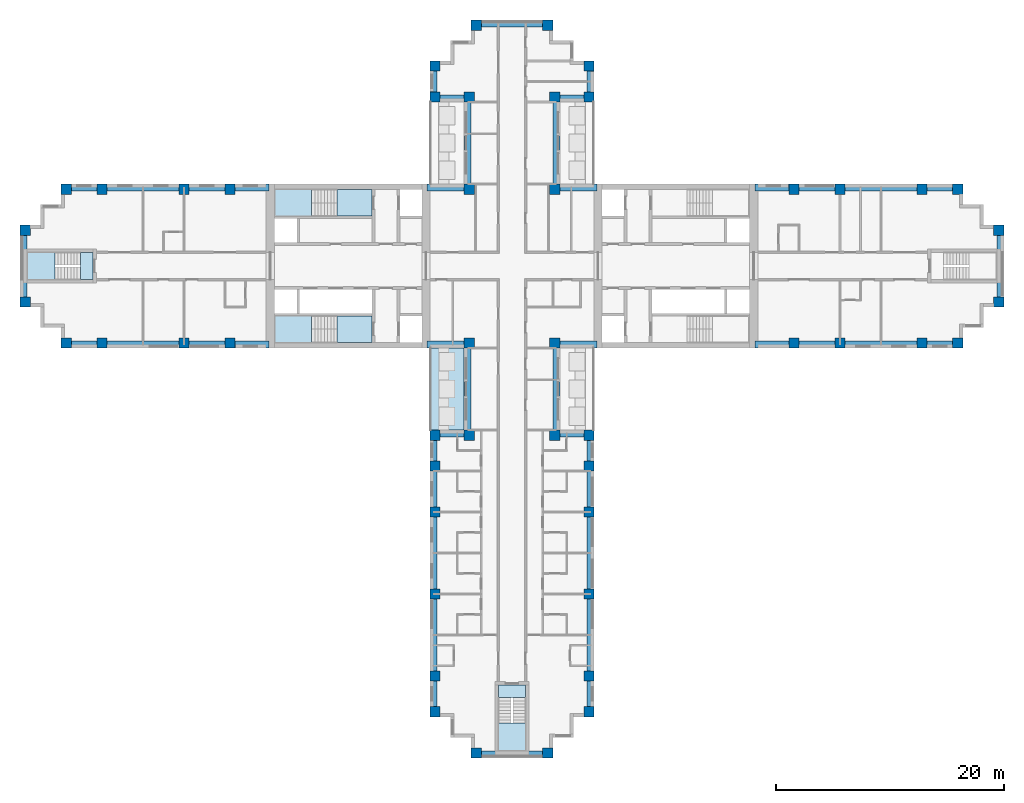
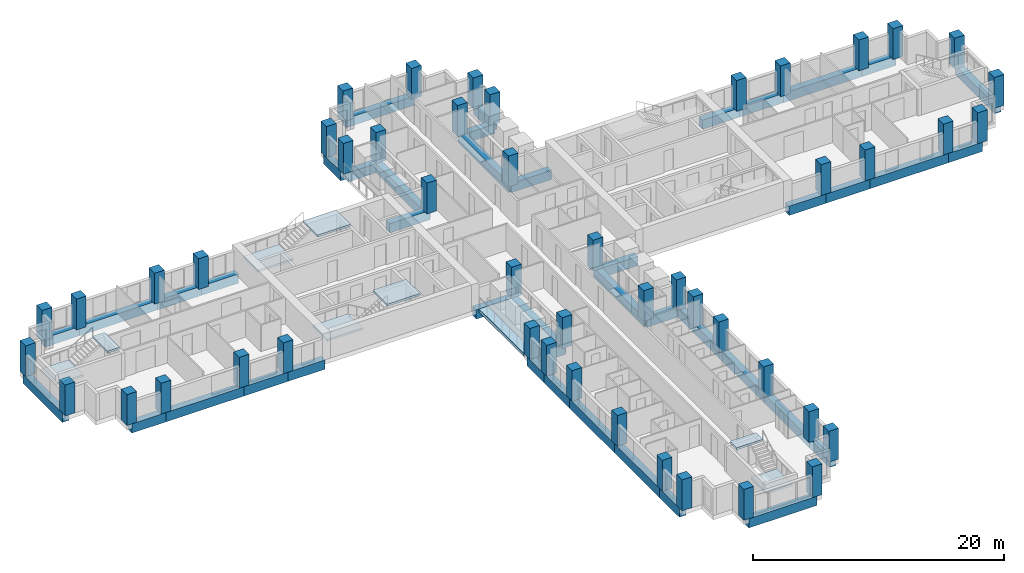
# One storey, part 1 of 14: 48 columns, 44 beams, 9 slabs, 4 elements without a shape of their own.
"""IFC4 building model written with IfcOpenShell, lengths in metres."""

from ifc_helpers import new_model, si_unit, direction, frame, origin, origin_2d, place, context, subcontext, project, spatial, polyline, rectangle, outline, extrude, material, layer, layer_set, material_profile, profile_set, type_object, element, aggregate, save


model = new_model("IFC4")

# Units and contexts
model_context = context("Model", 3, precision=1e-05, world=origin(), true_north=direction((0.0, 1.0)))
body_context = subcontext(model_context, "Body", "Model", "MODEL_VIEW")
ifc_project = project(units=[si_unit("LENGTHUNIT", "METRE"), si_unit("AREAUNIT", "SQUARE_METRE"), si_unit("VOLUMEUNIT", "CUBIC_METRE"), si_unit("PLANEANGLEUNIT", "RADIAN"), si_unit("MASSUNIT", "GRAM", prefix="KILO")], contexts=[model_context])

# Site, building, storey
site_placement = place(None, origin())
site = spatial("IfcSite", under=ifc_project, at=site_placement, CompositionType="ELEMENT")
building_placement = place(site_placement, origin())
building = spatial("IfcBuilding", under=site, at=building_placement, Name="Fustian Cross Tower", CompositionType="ELEMENT")
storey_placement = place(building_placement, frame((0.0, 0.0, 99.89990234375)))
storey = spatial("IfcBuildingStorey", under=building, at=storey_placement, Name="L31", CompositionType="ELEMENT", Elevation=99.89990234375)

# Columns
ifc_material_1 = material(Name="Concrete C60/75", Category="concrete")
ifc_material_profile_1 = material_profile(ifc_material_1, rectangle(XDim=0.89990234375, YDim=0.89990234375, at=origin_2d()), Name="RC 900x900")
ifc_profile_set_1 = profile_set([ifc_material_profile_1], Name="Concrete C60/75")
column_type = type_object("IfcColumnType", Name="COLUMN RC 900x900 C60/75", PredefinedType="COLUMN", material=ifc_profile_set_1)
for number, where, z_axis, x_axis, name in (
    (1, (-42.75, -3.14990234375, 0.0), (0.0, 0.0, 1.0), (1.0, 0.0, 0.0), "COLUMN 001"),
    (2, (-42.75, 3.14990234375, 0.0), (0.0, 0.0, 1.0), (1.0, 0.0, 0.0), "COLUMN 002"),
    (3, (-39.14990234375, -6.75, 0.0), (0.0, 0.0, 1.0), (1.0, 0.0, 0.0), "COLUMN 003"),
    (4, (-39.14990234375, 6.75, 0.0), (0.0, 0.0, 1.0), (1.0, 0.0, 0.0), "COLUMN 004"),
    (5, (-36.0, -6.75, 0.0), (0.0, 0.0, 1.0), (1.0, 0.0, 0.0), "COLUMN 005"),
    (6, (-36.0, 6.75, 0.0), (0.0, 0.0, 1.0), (1.0, 0.0, 0.0), "COLUMN 006"),
    (7, (-28.800048828125, -6.75, 0.0), (0.0, 0.0, 1.0), (1.0, 0.0, 0.0), "COLUMN 007"),
    (8, (-28.800048828125, 6.75, 0.0), (0.0, 0.0, 1.0), (1.0, 0.0, 0.0), "COLUMN 010"),
    (9, (-24.75, -6.75, 0.0), (0.0, 0.0, 1.0), (1.0, 0.0, 0.0), "COLUMN 011"),
    (10, (-24.75, 6.75, 0.0), (0.0, 0.0, 1.0), (1.0, 0.0, 0.0), "COLUMN 012"),
    (11, (-6.75, -39.14990234375, 0.0), (0.0, 0.0, 1.0), (1.0, 0.0, 0.0), "COLUMN 013"),
    (12, (-6.75, -36.0, 0.0), (0.0, 0.0, 1.0), (1.0, 0.0, 0.0), "COLUMN 014"),
    (13, (-6.75, -28.800048828125, 0.0), (0.0, 0.0, 1.0), (1.0, 0.0, 0.0), "COLUMN 015"),
    (14, (-6.75, -21.60009765625, 0.0), (0.0, 0.0, 1.0), (1.0, 0.0, 0.0), "COLUMN 016"),
    (15, (-6.75, -17.550048828125, 0.0), (0.0, 0.0, 1.0), (1.0, 0.0, 0.0), "COLUMN 017"),
    (16, (-6.75, -14.85009765625, 0.0), (0.0, 0.0, 1.0), (1.0, 0.0, 0.0), "COLUMN 018"),
    (17, (-6.75, 14.85009765625, 0.0), (0.0, 0.0, 1.0), (1.0, 0.0, 0.0), "COLUMN 019"),
    (18, (-6.75, 17.550048828125, 0.0), (0.0, 0.0, 1.0), (1.0, 0.0, 0.0), "COLUMN 020"),
    (19, (-3.75, -14.85009765625, 0.0), (0.0, 0.0, 1.0), (1.0, 0.0, 0.0), "COLUMN 025"),
    (20, (-3.75, -6.75, 0.0), (0.0, 0.0, 1.0), (1.0, 0.0, 0.0), "COLUMN 026"),
    (21, (-3.75, 6.75, 0.0), (0.0, 0.0, 1.0), (1.0, 0.0, 0.0), "COLUMN 027"),
    (22, (-3.75, 14.85009765625, 0.0), (0.0, 0.0, 1.0), (1.0, 0.0, 0.0), "COLUMN 028"),
    (23, (-3.14990234375, -42.75, 0.0), (0.0, 0.0, 1.0), (1.0, 0.0, 0.0), "COLUMN 029"),
    (24, (-3.14990234375, 21.14990234375, 0.0), (0.0, 0.0, 1.0), (1.0, 0.0, 0.0), "COLUMN 031"),
    (25, (3.14990234375, -42.75, 0.0), (0.0, 0.0, 1.0), (1.0, 0.0, 0.0), "COLUMN 033"),
    (26, (3.14990234375, 21.14990234375, 0.0), (0.0, 0.0, 1.0), (1.0, 0.0, 0.0), "COLUMN 035"),
    (27, (3.75, -14.85009765625, 0.0), (0.0, 0.0, 1.0), (1.0, 0.0, 0.0), "COLUMN 037"),
    (28, (3.75, -6.75, 0.0), (0.0, 0.0, 1.0), (1.0, 0.0, 0.0), "COLUMN 038"),
    (29, (3.75, 6.75, 0.0), (0.0, 0.0, 1.0), (1.0, 0.0, 0.0), "COLUMN 039"),
    (30, (3.75, 14.85009765625, 0.0), (0.0, 0.0, 1.0), (1.0, 0.0, 0.0), "COLUMN 040"),
    (31, (6.75, -39.14990234375, 0.0), (0.0, 0.0, 1.0), (1.0, 0.0, 0.0), "COLUMN 041"),
    (32, (6.75, -36.0, 0.0), (0.0, 0.0, 1.0), (1.0, 0.0, 0.0), "COLUMN 042"),
    (33, (6.75, -28.800048828125, 0.0), (0.0, 0.0, 1.0), (1.0, 0.0, 0.0), "COLUMN 043"),
    (34, (6.75, -21.60009765625, 0.0), (0.0, 0.0, 1.0), (1.0, 0.0, 0.0), "COLUMN 044"),
    (35, (6.75, -17.550048828125, 0.0), (0.0, 0.0, 1.0), (1.0, 0.0, 0.0), "COLUMN 045"),
    (36, (6.75, -14.85009765625, 0.0), (0.0, 0.0, 1.0), (1.0, 0.0, 0.0), "COLUMN 046"),
    (37, (6.75, 14.85009765625, 0.0), (0.0, 0.0, 1.0), (1.0, 0.0, 0.0), "COLUMN 047"),
    (38, (6.75, 17.550048828125, 0.0), (0.0, 0.0, 1.0), (1.0, 0.0, 0.0), "COLUMN 048"),
    (39, (24.75, -6.75, 0.0), (0.0, 0.0, 1.0), (1.0, 0.0, 0.0), "COLUMN 053"),
    (40, (24.75, 6.75, 0.0), (0.0, 0.0, 1.0), (1.0, 0.0, 0.0), "COLUMN 054"),
    (41, (28.800048828125, -6.75, 0.0), (0.0, 0.0, 1.0), (1.0, 0.0, 0.0), "COLUMN 055"),
    (42, (28.800048828125, 6.75, 0.0), (0.0, 0.0, 1.0), (1.0, 0.0, 0.0), "COLUMN 058"),
    (43, (36.0, -6.75, 0.0), (0.0, 0.0, 1.0), (1.0, 0.0, 0.0), "COLUMN 059"),
    (44, (36.0, 6.75, 0.0), (0.0, 0.0, 1.0), (1.0, 0.0, 0.0), "COLUMN 060"),
    (45, (39.14990234375, -6.75, 0.0), (0.0, 0.0, 1.0), (1.0, 0.0, 0.0), "COLUMN 061"),
    (46, (39.14990234375, 6.75, 0.0), (0.0, 0.0, 1.0), (1.0, 0.0, 0.0), "COLUMN 062"),
    (47, (42.75, -3.14990234375, 0.0), (0.0, 0.0, 1.0), (1.0, 0.0, 0.0), "COLUMN 063"),
    (48, (42.75, 3.14990234375, 0.0), (0.0, 0.0, 1.0), (1.0, 0.0, 0.0), "COLUMN 064"),
):
    element("IfcColumn", number, at=place(storey_placement, frame(where, z_axis=z_axis, x_axis=x_axis)), inside=storey, type_object=column_type, Name=name, PredefinedType="COLUMN", context=body_context, shape_type="SweptSolid", body=[
        extrude(rectangle(XDim=0.89990234375, YDim=0.89990234375, at=origin_2d()), origin(), (0.0, 0.0, 1.0), 3.0),
    ])

# Beams
ifc_material_2 = material(Name="Concrete C50/60", Category="concrete")
ifc_material_profile_2 = material_profile(ifc_material_2, rectangle(XDim=0.60009765625, YDim=0.89990234375, at=origin_2d()), Name="RC 600x900")
ifc_profile_set_2 = profile_set([ifc_material_profile_2], Name="Concrete C50/60")
beam_type = type_object("IfcBeamType", Name="EDGE BEAM RC 600x900 C50/60", PredefinedType="SPANDREL", material=ifc_profile_set_2)
beam_1_placement = place(storey_placement, frame((21.35009765625, -6.89990234375, -0.449951171875), z_axis=(1.0, 0.0, 0.0), x_axis=(0.0, 1.0, 0.0)))
element("IfcBeam", 49, at=beam_1_placement, inside=storey, type_object=beam_type, Name="EDGE BEAM L31-01", PredefinedType="SPANDREL", context=body_context, shape_type="SweptSolid", body=[
    extrude(rectangle(XDim=0.60009765625, YDim=0.89990234375, at=origin_2d()), origin(), (0.0, 0.0, 1.0), 3.39990234375),
])
beam_2_placement = place(storey_placement, frame((24.75, -6.89990234375, -0.449951171875), z_axis=(1.0, 0.0, 0.0), x_axis=(0.0, 1.0, 0.0)))
element("IfcBeam", 50, at=beam_2_placement, inside=storey, type_object=beam_type, Name="EDGE BEAM L31-02", PredefinedType="SPANDREL", context=body_context, shape_type="SweptSolid", body=[
    extrude(rectangle(XDim=0.60009765625, YDim=0.89990234375, at=origin_2d()), origin(), (0.0, 0.0, 1.0), 4.050048828125),
])
beam_3_placement = place(storey_placement, frame((28.800048828125, -6.89990234375, -0.449951171875), z_axis=(1.0, 0.0, 0.0), x_axis=(0.0, 1.0, 0.0)))
element("IfcBeam", 51, at=beam_3_placement, inside=storey, type_object=beam_type, Name="EDGE BEAM L31-03", PredefinedType="SPANDREL", context=body_context, shape_type="SweptSolid", body=[
    extrude(rectangle(XDim=0.60009765625, YDim=0.89990234375, at=origin_2d()), origin(), (0.0, 0.0, 1.0), 7.199951171875),
])
beam_4_placement = place(storey_placement, frame((36.0, -6.89990234375, -0.449951171875), z_axis=(1.0, 0.0, 0.0), x_axis=(0.0, 1.0, 0.0)))
element("IfcBeam", 52, at=beam_4_placement, inside=storey, type_object=beam_type, Name="EDGE BEAM L31-04", PredefinedType="SPANDREL", context=body_context, shape_type="SweptSolid", body=[
    extrude(rectangle(XDim=0.60009765625, YDim=0.89990234375, at=origin_2d()), origin(), (0.0, 0.0, 1.0), 3.14990234375),
])
beam_5_placement = place(storey_placement, frame((42.89990234375, -3.14990234375, -0.449951171875), z_axis=(0.0, 1.0, 0.0), x_axis=(-1.0, 0.0, 0.0)))
element("IfcBeam", 53, at=beam_5_placement, inside=storey, type_object=beam_type, Name="EDGE BEAM L31-05", PredefinedType="SPANDREL", context=body_context, shape_type="SweptSolid", body=[
    extrude(rectangle(XDim=0.60009765625, YDim=0.89990234375, at=origin_2d()), origin(), (0.0, 0.0, 1.0), 6.2998046875),
])
beam_6_placement = place(storey_placement, frame((39.14990234375, 6.89990234375, -0.449951171875), z_axis=(-1.0, 0.0, 0.0), x_axis=(0.0, -1.0, 0.0)))
element("IfcBeam", 54, at=beam_6_placement, inside=storey, type_object=beam_type, Name="EDGE BEAM L31-06", PredefinedType="SPANDREL", context=body_context, shape_type="SweptSolid", body=[
    extrude(rectangle(XDim=0.60009765625, YDim=0.89990234375, at=origin_2d()), origin(), (0.0, 0.0, 1.0), 3.14990234375),
])
beam_7_placement = place(storey_placement, frame((36.0, 6.89990234375, -0.449951171875), z_axis=(-1.0, 0.0, 0.0), x_axis=(0.0, -1.0, 0.0)))
element("IfcBeam", 55, at=beam_7_placement, inside=storey, type_object=beam_type, Name="EDGE BEAM L31-07", PredefinedType="SPANDREL", context=body_context, shape_type="SweptSolid", body=[
    extrude(rectangle(XDim=0.60009765625, YDim=0.89990234375, at=origin_2d()), origin(), (0.0, 0.0, 1.0), 7.199951171875),
])
beam_8_placement = place(storey_placement, frame((28.800048828125, 6.89990234375, -0.449951171875), z_axis=(-1.0, 0.0, 0.0), x_axis=(0.0, -1.0, 0.0)))
element("IfcBeam", 56, at=beam_8_placement, inside=storey, type_object=beam_type, Name="EDGE BEAM L31-08", PredefinedType="SPANDREL", context=body_context, shape_type="SweptSolid", body=[
    extrude(rectangle(XDim=0.60009765625, YDim=0.89990234375, at=origin_2d()), origin(), (0.0, 0.0, 1.0), 4.050048828125),
])
beam_9_placement = place(storey_placement, frame((24.75, 6.89990234375, -0.449951171875), z_axis=(-1.0, 0.0, 0.0), x_axis=(0.0, -1.0, 0.0)))
element("IfcBeam", 57, at=beam_9_placement, inside=storey, type_object=beam_type, Name="EDGE BEAM L31-09", PredefinedType="SPANDREL", context=body_context, shape_type="SweptSolid", body=[
    extrude(rectangle(XDim=0.60009765625, YDim=0.89990234375, at=origin_2d()), origin(), (0.0, 0.0, 1.0), 3.39990234375),
])
beam_10_placement = place(storey_placement, frame((7.449951171875, 6.89990234375, -0.449951171875), z_axis=(-1.0, 0.0, 0.0), x_axis=(0.0, -1.0, 0.0)))
element("IfcBeam", 58, at=beam_10_placement, inside=storey, type_object=beam_type, Name="EDGE BEAM L31-10", PredefinedType="SPANDREL", context=body_context, shape_type="SweptSolid", body=[
    extrude(rectangle(XDim=0.60009765625, YDim=0.89990234375, at=origin_2d()), origin(), (0.0, 0.0, 1.0), 3.699951171875),
])
beam_11_placement = place(storey_placement, frame((3.89990234375, 6.75, -0.449951171875), z_axis=(0.0, 1.0, 0.0), x_axis=(-1.0, 0.0, 0.0)))
element("IfcBeam", 59, at=beam_11_placement, inside=storey, type_object=beam_type, Name="EDGE BEAM L31-11", PredefinedType="SPANDREL", context=body_context, shape_type="SweptSolid", body=[
    extrude(rectangle(XDim=0.60009765625, YDim=0.89990234375, at=origin_2d()), origin(), (0.0, 0.0, 1.0), 8.10009765625),
])
beam_12_placement = place(storey_placement, frame((3.75, 14.699951171875, -0.449951171875), z_axis=(1.0, 0.0, 0.0), x_axis=(0.0, 1.0, 0.0)))
element("IfcBeam", 60, at=beam_12_placement, inside=storey, type_object=beam_type, Name="EDGE BEAM L31-12", PredefinedType="SPANDREL", context=body_context, shape_type="SweptSolid", body=[
    extrude(rectangle(XDim=0.60009765625, YDim=0.89990234375, at=origin_2d()), origin(), (0.0, 0.0, 1.0), 3.0),
])
beam_13_placement = place(storey_placement, frame((6.89990234375, 14.85009765625, -0.449951171875), z_axis=(0.0, 1.0, 0.0), x_axis=(-1.0, 0.0, 0.0)))
element("IfcBeam", 61, at=beam_13_placement, inside=storey, type_object=beam_type, Name="EDGE BEAM L31-13", PredefinedType="SPANDREL", context=body_context, shape_type="SweptSolid", body=[
    extrude(rectangle(XDim=0.60009765625, YDim=0.89990234375, at=origin_2d()), origin(), (0.0, 0.0, 1.0), 2.699951171875),
])
beam_14_placement = place(storey_placement, frame((3.14990234375, 21.300048828125, -0.449951171875), z_axis=(-1.0, 0.0, 0.0), x_axis=(0.0, -1.0, 0.0)))
element("IfcBeam", 62, at=beam_14_placement, inside=storey, type_object=beam_type, Name="EDGE BEAM L31-14", PredefinedType="SPANDREL", context=body_context, shape_type="SweptSolid", body=[
    extrude(rectangle(XDim=0.60009765625, YDim=0.89990234375, at=origin_2d()), origin(), (0.0, 0.0, 1.0), 6.2998046875),
])
beam_15_placement = place(storey_placement, frame((-6.89990234375, 17.550048828125, -0.449951171875), z_axis=(0.0, -1.0, 0.0), x_axis=(1.0, 0.0, 0.0)))
element("IfcBeam", 63, at=beam_15_placement, inside=storey, type_object=beam_type, Name="EDGE BEAM L31-15", PredefinedType="SPANDREL", context=body_context, shape_type="SweptSolid", body=[
    extrude(rectangle(XDim=0.60009765625, YDim=0.89990234375, at=origin_2d()), origin(), (0.0, 0.0, 1.0), 2.699951171875),
])
beam_16_placement = place(storey_placement, frame((-6.75, 14.699951171875, -0.449951171875), z_axis=(1.0, 0.0, 0.0), x_axis=(0.0, 1.0, 0.0)))
element("IfcBeam", 64, at=beam_16_placement, inside=storey, type_object=beam_type, Name="EDGE BEAM L31-16", PredefinedType="SPANDREL", context=body_context, shape_type="SweptSolid", body=[
    extrude(rectangle(XDim=0.60009765625, YDim=0.89990234375, at=origin_2d()), origin(), (0.0, 0.0, 1.0), 3.0),
])
beam_17_placement = place(storey_placement, frame((-3.89990234375, 14.85009765625, -0.449951171875), z_axis=(0.0, -1.0, 0.0), x_axis=(1.0, 0.0, 0.0)))
element("IfcBeam", 65, at=beam_17_placement, inside=storey, type_object=beam_type, Name="EDGE BEAM L31-17", PredefinedType="SPANDREL", context=body_context, shape_type="SweptSolid", body=[
    extrude(rectangle(XDim=0.60009765625, YDim=0.89990234375, at=origin_2d()), origin(), (0.0, 0.0, 1.0), 8.10009765625),
])
beam_18_placement = place(storey_placement, frame((-3.75, 6.89990234375, -0.449951171875), z_axis=(-1.0, 0.0, 0.0), x_axis=(0.0, -1.0, 0.0)))
element("IfcBeam", 66, at=beam_18_placement, inside=storey, type_object=beam_type, Name="EDGE BEAM L31-18", PredefinedType="SPANDREL", context=body_context, shape_type="SweptSolid", body=[
    extrude(rectangle(XDim=0.60009765625, YDim=0.89990234375, at=origin_2d()), origin(), (0.0, 0.0, 1.0), 3.699951171875),
])
beam_19_placement = place(storey_placement, frame((-21.35009765625, 6.89990234375, -0.449951171875), z_axis=(-1.0, 0.0, 0.0), x_axis=(0.0, -1.0, 0.0)))
element("IfcBeam", 67, at=beam_19_placement, inside=storey, type_object=beam_type, Name="EDGE BEAM L31-19", PredefinedType="SPANDREL", context=body_context, shape_type="SweptSolid", body=[
    extrude(rectangle(XDim=0.60009765625, YDim=0.89990234375, at=origin_2d()), origin(), (0.0, 0.0, 1.0), 3.39990234375),
])
beam_20_placement = place(storey_placement, frame((-24.75, 6.89990234375, -0.449951171875), z_axis=(-1.0, 0.0, 0.0), x_axis=(0.0, -1.0, 0.0)))
element("IfcBeam", 68, at=beam_20_placement, inside=storey, type_object=beam_type, Name="EDGE BEAM L31-20", PredefinedType="SPANDREL", context=body_context, shape_type="SweptSolid", body=[
    extrude(rectangle(XDim=0.60009765625, YDim=0.89990234375, at=origin_2d()), origin(), (0.0, 0.0, 1.0), 4.050048828125),
])
beam_21_placement = place(storey_placement, frame((-28.800048828125, 6.89990234375, -0.449951171875), z_axis=(-1.0, 0.0, 0.0), x_axis=(0.0, -1.0, 0.0)))
element("IfcBeam", 69, at=beam_21_placement, inside=storey, type_object=beam_type, Name="EDGE BEAM L31-21", PredefinedType="SPANDREL", context=body_context, shape_type="SweptSolid", body=[
    extrude(rectangle(XDim=0.60009765625, YDim=0.89990234375, at=origin_2d()), origin(), (0.0, 0.0, 1.0), 7.199951171875),
])
beam_22_placement = place(storey_placement, frame((-36.0, 6.89990234375, -0.449951171875), z_axis=(-1.0, 0.0, 0.0), x_axis=(0.0, -1.0, 0.0)))
element("IfcBeam", 70, at=beam_22_placement, inside=storey, type_object=beam_type, Name="EDGE BEAM L31-22", PredefinedType="SPANDREL", context=body_context, shape_type="SweptSolid", body=[
    extrude(rectangle(XDim=0.60009765625, YDim=0.89990234375, at=origin_2d()), origin(), (0.0, 0.0, 1.0), 3.14990234375),
])
beam_23_placement = place(storey_placement, frame((-42.89990234375, 3.14990234375, -0.449951171875), z_axis=(0.0, -1.0, 0.0), x_axis=(1.0, 0.0, 0.0)))
element("IfcBeam", 71, at=beam_23_placement, inside=storey, type_object=beam_type, Name="EDGE BEAM L31-23", PredefinedType="SPANDREL", context=body_context, shape_type="SweptSolid", body=[
    extrude(rectangle(XDim=0.60009765625, YDim=0.89990234375, at=origin_2d()), origin(), (0.0, 0.0, 1.0), 6.2998046875),
])
beam_24_placement = place(storey_placement, frame((-39.14990234375, -6.89990234375, -0.449951171875), z_axis=(1.0, 0.0, 0.0), x_axis=(0.0, 1.0, 0.0)))
element("IfcBeam", 72, at=beam_24_placement, inside=storey, type_object=beam_type, Name="EDGE BEAM L31-24", PredefinedType="SPANDREL", context=body_context, shape_type="SweptSolid", body=[
    extrude(rectangle(XDim=0.60009765625, YDim=0.89990234375, at=origin_2d()), origin(), (0.0, 0.0, 1.0), 3.14990234375),
])
beam_25_placement = place(storey_placement, frame((-36.0, -6.89990234375, -0.449951171875), z_axis=(1.0, 0.0, 0.0), x_axis=(0.0, 1.0, 0.0)))
element("IfcBeam", 73, at=beam_25_placement, inside=storey, type_object=beam_type, Name="EDGE BEAM L31-25", PredefinedType="SPANDREL", context=body_context, shape_type="SweptSolid", body=[
    extrude(rectangle(XDim=0.60009765625, YDim=0.89990234375, at=origin_2d()), origin(), (0.0, 0.0, 1.0), 7.199951171875),
])
beam_26_placement = place(storey_placement, frame((-28.800048828125, -6.89990234375, -0.449951171875), z_axis=(1.0, 0.0, 0.0), x_axis=(0.0, 1.0, 0.0)))
element("IfcBeam", 74, at=beam_26_placement, inside=storey, type_object=beam_type, Name="EDGE BEAM L31-26", PredefinedType="SPANDREL", context=body_context, shape_type="SweptSolid", body=[
    extrude(rectangle(XDim=0.60009765625, YDim=0.89990234375, at=origin_2d()), origin(), (0.0, 0.0, 1.0), 4.050048828125),
])
beam_27_placement = place(storey_placement, frame((-24.75, -6.89990234375, -0.449951171875), z_axis=(1.0, 0.0, 0.0), x_axis=(0.0, 1.0, 0.0)))
element("IfcBeam", 75, at=beam_27_placement, inside=storey, type_object=beam_type, Name="EDGE BEAM L31-27", PredefinedType="SPANDREL", context=body_context, shape_type="SweptSolid", body=[
    extrude(rectangle(XDim=0.60009765625, YDim=0.89990234375, at=origin_2d()), origin(), (0.0, 0.0, 1.0), 3.39990234375),
])
beam_28_placement = place(storey_placement, frame((-7.449951171875, -6.89990234375, -0.449951171875), z_axis=(1.0, 0.0, 0.0), x_axis=(0.0, 1.0, 0.0)))
element("IfcBeam", 76, at=beam_28_placement, inside=storey, type_object=beam_type, Name="EDGE BEAM L31-28", PredefinedType="SPANDREL", context=body_context, shape_type="SweptSolid", body=[
    extrude(rectangle(XDim=0.60009765625, YDim=0.89990234375, at=origin_2d()), origin(), (0.0, 0.0, 1.0), 3.699951171875),
])
beam_29_placement = place(storey_placement, frame((-3.89990234375, -6.75, -0.449951171875), z_axis=(0.0, -1.0, 0.0), x_axis=(1.0, 0.0, 0.0)))
element("IfcBeam", 77, at=beam_29_placement, inside=storey, type_object=beam_type, Name="EDGE BEAM L31-29", PredefinedType="SPANDREL", context=body_context, shape_type="SweptSolid", body=[
    extrude(rectangle(XDim=0.60009765625, YDim=0.89990234375, at=origin_2d()), origin(), (0.0, 0.0, 1.0), 8.10009765625),
])
beam_30_placement = place(storey_placement, frame((-3.75, -14.699951171875, -0.449951171875), z_axis=(-1.0, 0.0, 0.0), x_axis=(0.0, -1.0, 0.0)))
element("IfcBeam", 78, at=beam_30_placement, inside=storey, type_object=beam_type, Name="EDGE BEAM L31-30", PredefinedType="SPANDREL", context=body_context, shape_type="SweptSolid", body=[
    extrude(rectangle(XDim=0.60009765625, YDim=0.89990234375, at=origin_2d()), origin(), (0.0, 0.0, 1.0), 3.0),
])
beam_31_placement = place(storey_placement, frame((-6.89990234375, -14.85009765625, -0.449951171875), z_axis=(0.0, -1.0, 0.0), x_axis=(1.0, 0.0, 0.0)))
element("IfcBeam", 79, at=beam_31_placement, inside=storey, type_object=beam_type, Name="EDGE BEAM L31-31", PredefinedType="SPANDREL", context=body_context, shape_type="SweptSolid", body=[
    extrude(rectangle(XDim=0.60009765625, YDim=0.89990234375, at=origin_2d()), origin(), (0.0, 0.0, 1.0), 2.699951171875),
])
beam_32_placement = place(storey_placement, frame((-6.89990234375, -17.550048828125, -0.449951171875), z_axis=(0.0, -1.0, 0.0), x_axis=(1.0, 0.0, 0.0)))
element("IfcBeam", 80, at=beam_32_placement, inside=storey, type_object=beam_type, Name="EDGE BEAM L31-32", PredefinedType="SPANDREL", context=body_context, shape_type="SweptSolid", body=[
    extrude(rectangle(XDim=0.60009765625, YDim=0.89990234375, at=origin_2d()), origin(), (0.0, 0.0, 1.0), 4.050048828125),
])
for number, where, z_axis, x_axis, name in (
    (81, (-6.89990234375, -21.60009765625, -0.449951171875), (0.0, -1.0, 0.0), (1.0, 0.0, 0.0), "EDGE BEAM L31-33"),
    (82, (-6.89990234375, -28.800048828125, -0.449951171875), (0.0, -1.0, 0.0), (1.0, 0.0, 0.0), "EDGE BEAM L31-34"),
):
    element("IfcBeam", number, at=place(storey_placement, frame(where, z_axis=z_axis, x_axis=x_axis)), inside=storey, type_object=beam_type, Name=name, PredefinedType="SPANDREL", context=body_context, shape_type="SweptSolid", body=[
        extrude(rectangle(XDim=0.60009765625, YDim=0.89990234375, at=origin_2d()), origin(), (0.0, 0.0, 1.0), 7.199951171875),
    ])
beam_33_placement = place(storey_placement, frame((-6.89990234375, -36.0, -0.449951171875), z_axis=(0.0, -1.0, 0.0), x_axis=(1.0, 0.0, 0.0)))
element("IfcBeam", 83, at=beam_33_placement, inside=storey, type_object=beam_type, Name="EDGE BEAM L31-35", PredefinedType="SPANDREL", context=body_context, shape_type="SweptSolid", body=[
    extrude(rectangle(XDim=0.60009765625, YDim=0.89990234375, at=origin_2d()), origin(), (0.0, 0.0, 1.0), 3.14990234375),
])
beam_34_placement = place(storey_placement, frame((-3.14990234375, -42.89990234375, -0.449951171875), z_axis=(1.0, 0.0, 0.0), x_axis=(0.0, 1.0, 0.0)))
element("IfcBeam", 84, at=beam_34_placement, inside=storey, type_object=beam_type, Name="EDGE BEAM L31-36", PredefinedType="SPANDREL", context=body_context, shape_type="SweptSolid", body=[
    extrude(rectangle(XDim=0.60009765625, YDim=0.89990234375, at=origin_2d()), origin(), (0.0, 0.0, 1.0), 6.2998046875),
])
beam_35_placement = place(storey_placement, frame((6.89990234375, -39.14990234375, -0.449951171875), z_axis=(0.0, 1.0, 0.0), x_axis=(-1.0, 0.0, 0.0)))
element("IfcBeam", 85, at=beam_35_placement, inside=storey, type_object=beam_type, Name="EDGE BEAM L31-37", PredefinedType="SPANDREL", context=body_context, shape_type="SweptSolid", body=[
    extrude(rectangle(XDim=0.60009765625, YDim=0.89990234375, at=origin_2d()), origin(), (0.0, 0.0, 1.0), 3.14990234375),
])
for number, where, z_axis, x_axis, name in (
    (86, (6.89990234375, -36.0, -0.449951171875), (0.0, 1.0, 0.0), (-1.0, 0.0, 0.0), "EDGE BEAM L31-38"),
    (87, (6.89990234375, -28.800048828125, -0.449951171875), (0.0, 1.0, 0.0), (-1.0, 0.0, 0.0), "EDGE BEAM L31-39"),
):
    element("IfcBeam", number, at=place(storey_placement, frame(where, z_axis=z_axis, x_axis=x_axis)), inside=storey, type_object=beam_type, Name=name, PredefinedType="SPANDREL", context=body_context, shape_type="SweptSolid", body=[
        extrude(rectangle(XDim=0.60009765625, YDim=0.89990234375, at=origin_2d()), origin(), (0.0, 0.0, 1.0), 7.199951171875),
    ])
beam_36_placement = place(storey_placement, frame((6.89990234375, -21.60009765625, -0.449951171875), z_axis=(0.0, 1.0, 0.0), x_axis=(-1.0, 0.0, 0.0)))
element("IfcBeam", 88, at=beam_36_placement, inside=storey, type_object=beam_type, Name="EDGE BEAM L31-40", PredefinedType="SPANDREL", context=body_context, shape_type="SweptSolid", body=[
    extrude(rectangle(XDim=0.60009765625, YDim=0.89990234375, at=origin_2d()), origin(), (0.0, 0.0, 1.0), 4.050048828125),
])
beam_37_placement = place(storey_placement, frame((6.89990234375, -17.550048828125, -0.449951171875), z_axis=(0.0, 1.0, 0.0), x_axis=(-1.0, 0.0, 0.0)))
element("IfcBeam", 89, at=beam_37_placement, inside=storey, type_object=beam_type, Name="EDGE BEAM L31-41", PredefinedType="SPANDREL", context=body_context, shape_type="SweptSolid", body=[
    extrude(rectangle(XDim=0.60009765625, YDim=0.89990234375, at=origin_2d()), origin(), (0.0, 0.0, 1.0), 2.699951171875),
])
beam_38_placement = place(storey_placement, frame((6.75, -14.699951171875, -0.449951171875), z_axis=(-1.0, 0.0, 0.0), x_axis=(0.0, -1.0, 0.0)))
element("IfcBeam", 90, at=beam_38_placement, inside=storey, type_object=beam_type, Name="EDGE BEAM L31-42", PredefinedType="SPANDREL", context=body_context, shape_type="SweptSolid", body=[
    extrude(rectangle(XDim=0.60009765625, YDim=0.89990234375, at=origin_2d()), origin(), (0.0, 0.0, 1.0), 3.0),
])
beam_39_placement = place(storey_placement, frame((3.89990234375, -14.85009765625, -0.449951171875), z_axis=(0.0, 1.0, 0.0), x_axis=(-1.0, 0.0, 0.0)))
element("IfcBeam", 91, at=beam_39_placement, inside=storey, type_object=beam_type, Name="EDGE BEAM L31-43", PredefinedType="SPANDREL", context=body_context, shape_type="SweptSolid", body=[
    extrude(rectangle(XDim=0.60009765625, YDim=0.89990234375, at=origin_2d()), origin(), (0.0, 0.0, 1.0), 8.10009765625),
])
beam_40_placement = place(storey_placement, frame((3.75, -6.89990234375, -0.449951171875), z_axis=(1.0, 0.0, 0.0), x_axis=(0.0, 1.0, 0.0)))
element("IfcBeam", 92, at=beam_40_placement, inside=storey, type_object=beam_type, Name="EDGE BEAM L31-44", PredefinedType="SPANDREL", context=body_context, shape_type="SweptSolid", body=[
    extrude(rectangle(XDim=0.60009765625, YDim=0.89990234375, at=origin_2d()), origin(), (0.0, 0.0, 1.0), 3.699951171875),
])

# Slab
ifc_material_3 = material(Name="Concrete C40/50", Category="concrete")
ifc_layer_1 = layer(ifc_material_3, 0.300048828125)
ifc_layer_set_1 = layer_set([ifc_layer_1], Name="Concrete C40/50")
slab_type_1 = type_object("IfcSlabType", Name="BS1 BALCONY SLAB 300", PredefinedType="FLOOR", material=ifc_layer_set_1)
slab_1_placement = place(storey_placement, frame((0.0, 0.0, -0.2998046875)))
element("IfcSlab", 93, at=slab_1_placement, inside=storey, type_object=slab_type_1, Name="Balcony slab", PredefinedType="FLOOR", context=body_context, shape_type="SweptSolid", body=[
    extrude(outline(polyline([(-7.199951171875, -14.39990234375), (-4.199951171875, -14.39990234375), (-4.199951171875, -7.199951171875), (-7.199951171875, -7.199951171875), (-7.199951171875, -14.39990234375)])), origin(), (0.0, 0.0, 1.0), 0.2998046875),
])

# Stair, slabs
ifc_material_4 = material(Name="Concrete C50/60", Category="concrete")
stair_type_1 = type_object("IfcStairType", Name="STAIR 1150 HALF TURN", PredefinedType="HALF_TURN_STAIR", material=ifc_material_4)
stair_1_placement = place(storey_placement, origin())
stair_1 = element("IfcStair", 94, at=stair_1_placement, inside=storey, type_object=stair_type_1, Name="Stair ST3", PredefinedType="HALF_TURN_STAIR")
ifc_material_5 = material(Name="Concrete C50/60", Category="concrete")
ifc_layer_2 = layer(ifc_material_5, 0.199951171875)
ifc_layer_set_2 = layer_set([ifc_layer_2], Name="Concrete C50/60")
slab_type_2 = type_object("IfcSlabType", Name="STAIR LANDING", PredefinedType="LANDING", material=ifc_layer_set_2)
slab_2_placement = place(storey_placement, frame((0.0, 0.0, 1.300048828125)))
slab_2 = element("IfcSlab", 95, at=slab_2_placement, type_object=slab_type_2, Name="ST3 landing 1", PredefinedType="LANDING", context=body_context, shape_type="SweptSolid", body=[
    extrude(outline(polyline([(-17.590087890625, 4.39990234375), (-20.85009765625, 4.39990234375), (-20.85009765625, 6.699951171875), (-17.590087890625, 6.699951171875), (-17.590087890625, 4.39990234375)])), origin(), (0.0, 0.0, 1.0), 0.199951171875),
])
slab_3_placement = place(storey_placement, frame((0.0, 0.0, 2.800048828125)))
slab_3 = element("IfcSlab", 96, at=slab_3_placement, type_object=slab_type_2, Name="ST3 landing 2", PredefinedType="LANDING", context=body_context, shape_type="SweptSolid", body=[
    extrude(outline(polyline([(-12.300048828125, 4.39990234375), (-15.35009765625, 4.39990234375), (-15.35009765625, 6.699951171875), (-12.300048828125, 6.699951171875), (-12.300048828125, 4.39990234375)])), origin(), (0.0, 0.0, 1.0), 0.199951171875),
])
aggregate(stair_1, [slab_2, slab_3])

stair_2_placement = place(storey_placement, origin())
stair_2 = element("IfcStair", 97, at=stair_2_placement, inside=storey, type_object=stair_type_1, Name="Stair ST4", PredefinedType="HALF_TURN_STAIR")
slab_4_placement = place(storey_placement, frame((0.0, 0.0, 1.300048828125)))
slab_4 = element("IfcSlab", 98, at=slab_4_placement, type_object=slab_type_2, Name="ST4 landing 1", PredefinedType="LANDING", context=body_context, shape_type="SweptSolid", body=[
    extrude(outline(polyline([(-17.590087890625, -4.39990234375), (-20.85009765625, -4.39990234375), (-20.85009765625, -6.699951171875), (-17.590087890625, -6.699951171875), (-17.590087890625, -4.39990234375)])), origin(), (0.0, 0.0, 1.0), 0.199951171875),
])
slab_5_placement = place(storey_placement, frame((0.0, 0.0, 2.800048828125)))
slab_5 = element("IfcSlab", 99, at=slab_5_placement, type_object=slab_type_2, Name="ST4 landing 2", PredefinedType="LANDING", context=body_context, shape_type="SweptSolid", body=[
    extrude(outline(polyline([(-12.300048828125, -4.39990234375), (-15.35009765625, -4.39990234375), (-15.35009765625, -6.699951171875), (-12.300048828125, -6.699951171875), (-12.300048828125, -4.39990234375)])), origin(), (0.0, 0.0, 1.0), 0.199951171875),
])
aggregate(stair_2, [slab_4, slab_5])

ifc_material_6 = material(Name="Concrete C50/60", Category="concrete")
stair_type_2 = type_object("IfcStairType", Name="STAIR 1100 HALF TURN", PredefinedType="HALF_TURN_STAIR", material=ifc_material_6)
stair_3_placement = place(storey_placement, origin())
stair_3 = element("IfcStair", 100, at=stair_3_placement, inside=storey, type_object=stair_type_2, Name="Stair ST6", PredefinedType="HALF_TURN_STAIR")
slab_6_placement = place(storey_placement, frame((0.0, 0.0, 1.300048828125)))
slab_6 = element("IfcSlab", 101, at=slab_6_placement, type_object=slab_type_2, Name="ST6 landing 1", PredefinedType="LANDING", context=body_context, shape_type="SweptSolid", body=[
    extrude(outline(polyline([(-1.199951171875, -40.139892578125), (-1.199951171875, -42.60009765625), (1.199951171875, -42.60009765625), (1.199951171875, -40.139892578125), (-1.199951171875, -40.139892578125)])), origin(), (0.0, 0.0, 1.0), 0.199951171875),
])
slab_7_placement = place(storey_placement, frame((0.0, 0.0, 2.800048828125)))
slab_7 = element("IfcSlab", 102, at=slab_7_placement, type_object=slab_type_2, Name="ST6 landing 2", PredefinedType="LANDING", context=body_context, shape_type="SweptSolid", body=[
    extrude(outline(polyline([(-1.199951171875, -36.800048828125), (-1.199951171875, -37.89990234375), (1.199951171875, -37.89990234375), (1.199951171875, -36.800048828125), (-1.199951171875, -36.800048828125)])), origin(), (0.0, 0.0, 1.0), 0.199951171875),
])
aggregate(stair_3, [slab_6, slab_7])

stair_4_placement = place(storey_placement, origin())
stair_4 = element("IfcStair", 103, at=stair_4_placement, inside=storey, type_object=stair_type_2, Name="Stair ST9", PredefinedType="HALF_TURN_STAIR")
slab_8_placement = place(storey_placement, frame((0.0, 0.0, 1.300048828125)))
slab_8 = element("IfcSlab", 104, at=slab_8_placement, type_object=slab_type_2, Name="ST9 landing 1", PredefinedType="LANDING", context=body_context, shape_type="SweptSolid", body=[
    extrude(outline(polyline([(-40.139892578125, -1.199951171875), (-42.60009765625, -1.199951171875), (-42.60009765625, 1.199951171875), (-40.139892578125, 1.199951171875), (-40.139892578125, -1.199951171875)])), origin(), (0.0, 0.0, 1.0), 0.199951171875),
])
slab_9_placement = place(storey_placement, frame((0.0, 0.0, 2.800048828125)))
slab_9 = element("IfcSlab", 105, at=slab_9_placement, type_object=slab_type_2, Name="ST9 landing 2", PredefinedType="LANDING", context=body_context, shape_type="SweptSolid", body=[
    extrude(outline(polyline([(-36.800048828125, -1.199951171875), (-37.89990234375, -1.199951171875), (-37.89990234375, 1.199951171875), (-36.800048828125, 1.199951171875), (-36.800048828125, -1.199951171875)])), origin(), (0.0, 0.0, 1.0), 0.199951171875),
])
aggregate(stair_4, [slab_8, slab_9])

save(model, "model.ifc")
